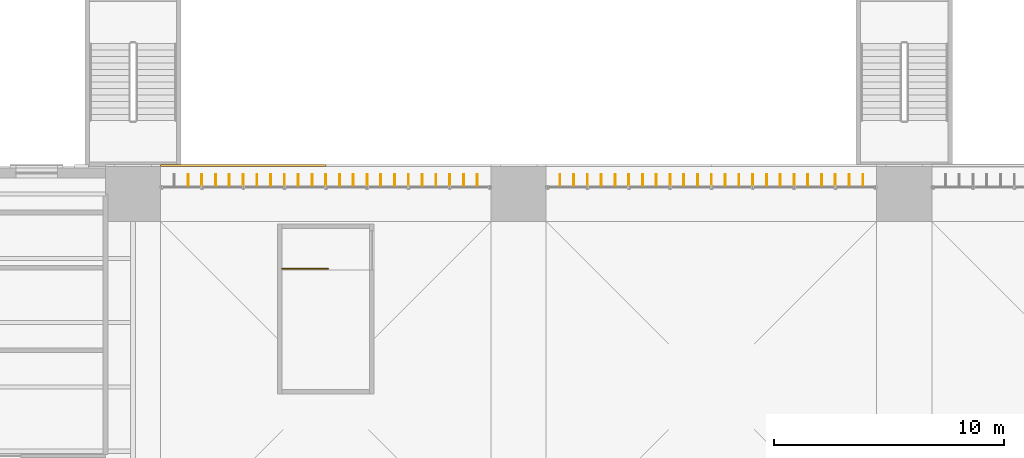
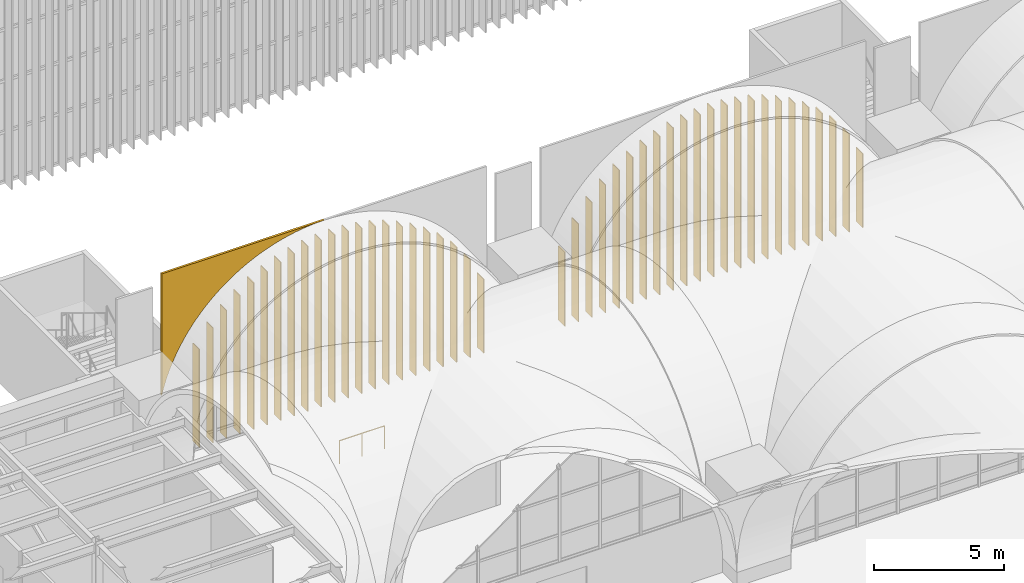
# One storey, part 151 of 169: 45 shading devices, 1 covering, 1 railing.
"""IFC4 building model written with IfcOpenShell, lengths in metres."""

from ifc_helpers import new_model, si_unit, direction, frame, origin, origin_2d, place, context, subcontext, project, spatial, polyline, circle, outline, extrude, material, layer, layer_set, type_object, element, save


model = new_model("IFC4")

# Units and contexts
model_context = context("Model", 3, precision=1e-05, world=origin(), true_north=direction((0.0, 1.0)))
body_context = subcontext(model_context, "Body", "Model", "MODEL_VIEW")
ifc_project = project(units=[si_unit("LENGTHUNIT", "METRE"), si_unit("AREAUNIT", "SQUARE_METRE"), si_unit("VOLUMEUNIT", "CUBIC_METRE"), si_unit("PLANEANGLEUNIT", "RADIAN"), si_unit("MASSUNIT", "GRAM", prefix="KILO")], contexts=[model_context])

# Site, building, storey
site_placement = place(None, origin())
site = spatial("IfcSite", under=ifc_project, at=site_placement, CompositionType="ELEMENT")
building_placement = place(site_placement, origin())
building = spatial("IfcBuilding", under=site, at=building_placement, Name="Verrick Yard Athletic Hall", CompositionType="ELEMENT")
storey_placement = place(building_placement, frame((0.0, 0.0, 4.39990234375)))
storey = spatial("IfcBuildingStorey", under=building, at=storey_placement, Name="L01", CompositionType="ELEMENT", Elevation=4.39990234375)

# Shading devices
ifc_material_1 = material(Name="Anodised aluminium", Category="aluminium")
ifc_layer_1 = layer(ifc_material_1, 0.0400390625)
ifc_layer_set_1 = layer_set([ifc_layer_1], Name="Arcade fin")
shading_device_type = type_object("IfcShadingDeviceType", Name="Arcade fin", PredefinedType="USERDEFINED", material=ifc_layer_set_1)
shading_device_1_placement = place(storey_placement, frame((42.39990234375, 53.17626953125, 0.0), z_axis=(0.0, 0.0, 1.0), x_axis=(0.0, 1.0, 0.0)))
element("IfcShadingDevice", 1, at=shading_device_1_placement, inside=storey, type_object=shading_device_type, Name="Fin RN1.2", ObjectType="FIN", PredefinedType="USERDEFINED", context=body_context, shape_type="SweptSolid", body=[
    extrude(outline(polyline([(0.0, 0.0), (0.5, 0.0), (0.5, 4.5966796875), (0.0, 4.5966796875), (0.0, 0.0)])), frame((0.0, 0.02001953125, 0.0), z_axis=(0.0, -1.0, 0.0), x_axis=(1.0, 0.0, 0.0)), (0.0, 0.0, 1.0), 0.0400390625),
])
shading_device_2_placement = place(storey_placement, frame((43.0, 53.17626953125, 0.0), z_axis=(0.0, 0.0, 1.0), x_axis=(0.0, 1.0, 0.0)))
element("IfcShadingDevice", 2, at=shading_device_2_placement, inside=storey, type_object=shading_device_type, Name="Fin RN1.3", ObjectType="FIN", PredefinedType="USERDEFINED", context=body_context, shape_type="SweptSolid", body=[
    extrude(outline(polyline([(0.0, 0.0), (0.5, 0.0), (0.5, 5.38671875), (0.0, 5.38671875), (0.0, 0.0)])), frame((0.0, 0.02001953125, 0.0), z_axis=(0.0, -1.0, 0.0), x_axis=(1.0, 0.0, 0.0)), (0.0, 0.0, 1.0), 0.0400390625),
])
shading_device_3_placement = place(storey_placement, frame((43.60009765625, 53.17626953125, 0.0), z_axis=(0.0, 0.0, 1.0), x_axis=(0.0, 1.0, 0.0)))
element("IfcShadingDevice", 3, at=shading_device_3_placement, inside=storey, type_object=shading_device_type, Name="Fin RN1.4", ObjectType="FIN", PredefinedType="USERDEFINED", context=body_context, shape_type="SweptSolid", body=[
    extrude(outline(polyline([(0.0, 0.0), (0.5, 0.0), (0.5, 5.996826171875), (0.0, 5.996826171875), (0.0, 0.0)])), frame((0.0, 0.02001953125, 0.0), z_axis=(0.0, -1.0, 0.0), x_axis=(1.0, 0.0, 0.0)), (0.0, 0.0, 1.0), 0.0400390625),
])
shading_device_4_placement = place(storey_placement, frame((44.199951171875, 53.17626953125, 0.0), z_axis=(0.0, 0.0, 1.0), x_axis=(0.0, 1.0, 0.0)))
element("IfcShadingDevice", 4, at=shading_device_4_placement, inside=storey, type_object=shading_device_type, Name="Fin RN1.5", ObjectType="FIN", PredefinedType="USERDEFINED", context=body_context, shape_type="SweptSolid", body=[
    extrude(outline(polyline([(0.0, 0.0), (0.5, 0.0), (0.5, 6.481201171875), (0.0, 6.481201171875), (0.0, 0.0)])), frame((0.0, 0.02001953125, 0.0), z_axis=(0.0, -1.0, 0.0), x_axis=(1.0, 0.0, 0.0)), (0.0, 0.0, 1.0), 0.0400390625),
])
shading_device_5_placement = place(storey_placement, frame((44.800048828125, 53.17626953125, 0.0), z_axis=(0.0, 0.0, 1.0), x_axis=(0.0, 1.0, 0.0)))
element("IfcShadingDevice", 5, at=shading_device_5_placement, inside=storey, type_object=shading_device_type, Name="Fin RN1.6", ObjectType="FIN", PredefinedType="USERDEFINED", context=body_context, shape_type="SweptSolid", body=[
    extrude(outline(polyline([(0.0, 0.0), (0.5, 0.0), (0.5, 6.872802734375), (0.0, 6.872802734375), (0.0, 0.0)])), frame((0.0, 0.02001953125, 0.0), z_axis=(0.0, -1.0, 0.0), x_axis=(1.0, 0.0, 0.0)), (0.0, 0.0, 1.0), 0.0400390625),
])
shading_device_6_placement = place(storey_placement, frame((45.39990234375, 53.17626953125, 0.0), z_axis=(0.0, 0.0, 1.0), x_axis=(0.0, 1.0, 0.0)))
element("IfcShadingDevice", 6, at=shading_device_6_placement, inside=storey, type_object=shading_device_type, Name="Fin RN1.7", ObjectType="FIN", PredefinedType="USERDEFINED", context=body_context, shape_type="SweptSolid", body=[
    extrude(outline(polyline([(0.0, 0.0), (0.5, 0.0), (0.5, 7.18505859375), (0.0, 7.18505859375), (0.0, 0.0)])), frame((0.0, 0.02001953125, 0.0), z_axis=(0.0, -1.0, 0.0), x_axis=(1.0, 0.0, 0.0)), (0.0, 0.0, 1.0), 0.0400390625),
])
shading_device_7_placement = place(storey_placement, frame((46.0, 53.17626953125, 0.0), z_axis=(0.0, 0.0, 1.0), x_axis=(0.0, 1.0, 0.0)))
element("IfcShadingDevice", 7, at=shading_device_7_placement, inside=storey, type_object=shading_device_type, Name="Fin RN1.8", ObjectType="FIN", PredefinedType="USERDEFINED", context=body_context, shape_type="SweptSolid", body=[
    extrude(outline(polyline([(0.0, 0.0), (0.5, 0.0), (0.5, 7.4296875), (0.0, 7.4296875), (0.0, 0.0)])), frame((0.0, 0.02001953125, 0.0), z_axis=(0.0, -1.0, 0.0), x_axis=(1.0, 0.0, 0.0)), (0.0, 0.0, 1.0), 0.0400390625),
])
shading_device_8_placement = place(storey_placement, frame((46.60009765625, 53.17626953125, 0.0), z_axis=(0.0, 0.0, 1.0), x_axis=(0.0, 1.0, 0.0)))
element("IfcShadingDevice", 8, at=shading_device_8_placement, inside=storey, type_object=shading_device_type, Name="Fin RN1.9", ObjectType="FIN", PredefinedType="USERDEFINED", context=body_context, shape_type="SweptSolid", body=[
    extrude(outline(polyline([(0.0, 0.0), (0.5, 0.0), (0.5, 7.614990234375), (0.0, 7.614990234375), (0.0, 0.0)])), frame((0.0, 0.02001953125, 0.0), z_axis=(0.0, -1.0, 0.0), x_axis=(1.0, 0.0, 0.0)), (0.0, 0.0, 1.0), 0.0400390625),
])
shading_device_9_placement = place(storey_placement, frame((47.199951171875, 53.17626953125, 0.0), z_axis=(0.0, 0.0, 1.0), x_axis=(0.0, 1.0, 0.0)))
element("IfcShadingDevice", 9, at=shading_device_9_placement, inside=storey, type_object=shading_device_type, Name="Fin RN1.10", ObjectType="FIN", PredefinedType="USERDEFINED", context=body_context, shape_type="SweptSolid", body=[
    extrude(outline(polyline([(0.0, 0.0), (0.5, 0.0), (0.5, 7.744873046875), (0.0, 7.744873046875), (0.0, 0.0)])), frame((0.0, 0.02001953125, 0.0), z_axis=(0.0, -1.0, 0.0), x_axis=(1.0, 0.0, 0.0)), (0.0, 0.0, 1.0), 0.0400390625),
])
shading_device_10_placement = place(storey_placement, frame((47.800048828125, 53.17626953125, 0.0), z_axis=(0.0, 0.0, 1.0), x_axis=(0.0, 1.0, 0.0)))
element("IfcShadingDevice", 10, at=shading_device_10_placement, inside=storey, type_object=shading_device_type, Name="Fin RN1.11", ObjectType="FIN", PredefinedType="USERDEFINED", context=body_context, shape_type="SweptSolid", body=[
    extrude(outline(polyline([(0.0, 0.0), (0.5, 0.0), (0.5, 7.82275390625), (0.0, 7.82275390625), (0.0, 0.0)])), frame((0.0, 0.02001953125, 0.0), z_axis=(0.0, -1.0, 0.0), x_axis=(1.0, 0.0, 0.0)), (0.0, 0.0, 1.0), 0.0400390625),
])
shading_device_11_placement = place(storey_placement, frame((48.39990234375, 53.17626953125, 0.0), z_axis=(0.0, 0.0, 1.0), x_axis=(0.0, 1.0, 0.0)))
element("IfcShadingDevice", 11, at=shading_device_11_placement, inside=storey, type_object=shading_device_type, Name="Fin RN1.12", ObjectType="FIN", PredefinedType="USERDEFINED", context=body_context, shape_type="SweptSolid", body=[
    extrude(outline(polyline([(0.0, 0.0), (0.5, 0.0), (0.5, 7.84912109375), (0.0, 7.84912109375), (0.0, 0.0)])), frame((0.0, 0.02001953125, 0.0), z_axis=(0.0, -1.0, 0.0), x_axis=(1.0, 0.0, 0.0)), (0.0, 0.0, 1.0), 0.0400390625),
])
shading_device_12_placement = place(storey_placement, frame((49.0, 53.17626953125, 0.0), z_axis=(0.0, 0.0, 1.0), x_axis=(0.0, 1.0, 0.0)))
element("IfcShadingDevice", 12, at=shading_device_12_placement, inside=storey, type_object=shading_device_type, Name="Fin RN1.13", ObjectType="FIN", PredefinedType="USERDEFINED", context=body_context, shape_type="SweptSolid", body=[
    extrude(outline(polyline([(0.0, 0.0), (0.5, 0.0), (0.5, 7.82275390625), (0.0, 7.82275390625), (0.0, 0.0)])), frame((0.0, 0.02001953125, 0.0), z_axis=(0.0, -1.0, 0.0), x_axis=(1.0, 0.0, 0.0)), (0.0, 0.0, 1.0), 0.0400390625),
])
shading_device_13_placement = place(storey_placement, frame((49.60009765625, 53.17626953125, 0.0), z_axis=(0.0, 0.0, 1.0), x_axis=(0.0, 1.0, 0.0)))
element("IfcShadingDevice", 13, at=shading_device_13_placement, inside=storey, type_object=shading_device_type, Name="Fin RN1.14", ObjectType="FIN", PredefinedType="USERDEFINED", context=body_context, shape_type="SweptSolid", body=[
    extrude(outline(polyline([(0.0, 0.0), (0.5, 0.0), (0.5, 7.744873046875), (0.0, 7.744873046875), (0.0, 0.0)])), frame((0.0, 0.02001953125, 0.0), z_axis=(0.0, -1.0, 0.0), x_axis=(1.0, 0.0, 0.0)), (0.0, 0.0, 1.0), 0.0400390625),
])
shading_device_14_placement = place(storey_placement, frame((50.199951171875, 53.17626953125, 0.0), z_axis=(0.0, 0.0, 1.0), x_axis=(0.0, 1.0, 0.0)))
element("IfcShadingDevice", 14, at=shading_device_14_placement, inside=storey, type_object=shading_device_type, Name="Fin RN1.15", ObjectType="FIN", PredefinedType="USERDEFINED", context=body_context, shape_type="SweptSolid", body=[
    extrude(outline(polyline([(0.0, 0.0), (0.5, 0.0), (0.5, 7.614990234375), (0.0, 7.614990234375), (0.0, 0.0)])), frame((0.0, 0.02001953125, 0.0), z_axis=(0.0, -1.0, 0.0), x_axis=(1.0, 0.0, 0.0)), (0.0, 0.0, 1.0), 0.0400390625),
])
shading_device_15_placement = place(storey_placement, frame((50.800048828125, 53.17626953125, 0.0), z_axis=(0.0, 0.0, 1.0), x_axis=(0.0, 1.0, 0.0)))
element("IfcShadingDevice", 15, at=shading_device_15_placement, inside=storey, type_object=shading_device_type, Name="Fin RN1.16", ObjectType="FIN", PredefinedType="USERDEFINED", context=body_context, shape_type="SweptSolid", body=[
    extrude(outline(polyline([(0.0, 0.0), (0.5, 0.0), (0.5, 7.4296875), (0.0, 7.4296875), (0.0, 0.0)])), frame((0.0, 0.02001953125, 0.0), z_axis=(0.0, -1.0, 0.0), x_axis=(1.0, 0.0, 0.0)), (0.0, 0.0, 1.0), 0.0400390625),
])
shading_device_16_placement = place(storey_placement, frame((51.39990234375, 53.17626953125, 0.0), z_axis=(0.0, 0.0, 1.0), x_axis=(0.0, 1.0, 0.0)))
element("IfcShadingDevice", 16, at=shading_device_16_placement, inside=storey, type_object=shading_device_type, Name="Fin RN1.17", ObjectType="FIN", PredefinedType="USERDEFINED", context=body_context, shape_type="SweptSolid", body=[
    extrude(outline(polyline([(0.0, 0.0), (0.5, 0.0), (0.5, 7.18505859375), (0.0, 7.18505859375), (0.0, 0.0)])), frame((0.0, 0.02001953125, 0.0), z_axis=(0.0, -1.0, 0.0), x_axis=(1.0, 0.0, 0.0)), (0.0, 0.0, 1.0), 0.0400390625),
])
shading_device_17_placement = place(storey_placement, frame((52.0, 53.17626953125, 0.0), z_axis=(0.0, 0.0, 1.0), x_axis=(0.0, 1.0, 0.0)))
element("IfcShadingDevice", 17, at=shading_device_17_placement, inside=storey, type_object=shading_device_type, Name="Fin RN1.18", ObjectType="FIN", PredefinedType="USERDEFINED", context=body_context, shape_type="SweptSolid", body=[
    extrude(outline(polyline([(0.0, 0.0), (0.5, 0.0), (0.5, 6.872802734375), (0.0, 6.872802734375), (0.0, 0.0)])), frame((0.0, 0.02001953125, 0.0), z_axis=(0.0, -1.0, 0.0), x_axis=(1.0, 0.0, 0.0)), (0.0, 0.0, 1.0), 0.0400390625),
])
shading_device_18_placement = place(storey_placement, frame((52.60009765625, 53.17626953125, 0.0), z_axis=(0.0, 0.0, 1.0), x_axis=(0.0, 1.0, 0.0)))
element("IfcShadingDevice", 18, at=shading_device_18_placement, inside=storey, type_object=shading_device_type, Name="Fin RN1.19", ObjectType="FIN", PredefinedType="USERDEFINED", context=body_context, shape_type="SweptSolid", body=[
    extrude(outline(polyline([(0.0, 0.0), (0.5, 0.0), (0.5, 6.481201171875), (0.0, 6.481201171875), (0.0, 0.0)])), frame((0.0, 0.02001953125, 0.0), z_axis=(0.0, -1.0, 0.0), x_axis=(1.0, 0.0, 0.0)), (0.0, 0.0, 1.0), 0.0400390625),
])
shading_device_19_placement = place(storey_placement, frame((53.199951171875, 53.17626953125, 0.0), z_axis=(0.0, 0.0, 1.0), x_axis=(0.0, 1.0, 0.0)))
element("IfcShadingDevice", 19, at=shading_device_19_placement, inside=storey, type_object=shading_device_type, Name="Fin RN1.20", ObjectType="FIN", PredefinedType="USERDEFINED", context=body_context, shape_type="SweptSolid", body=[
    extrude(outline(polyline([(0.0, 0.0), (0.5, 0.0), (0.5, 5.996826171875), (0.0, 5.996826171875), (0.0, 0.0)])), frame((0.0, 0.02001953125, 0.0), z_axis=(0.0, -1.0, 0.0), x_axis=(1.0, 0.0, 0.0)), (0.0, 0.0, 1.0), 0.0400390625),
])
shading_device_20_placement = place(storey_placement, frame((53.800048828125, 53.17626953125, 0.0), z_axis=(0.0, 0.0, 1.0), x_axis=(0.0, 1.0, 0.0)))
element("IfcShadingDevice", 20, at=shading_device_20_placement, inside=storey, type_object=shading_device_type, Name="Fin RN1.21", ObjectType="FIN", PredefinedType="USERDEFINED", context=body_context, shape_type="SweptSolid", body=[
    extrude(outline(polyline([(0.0, 0.0), (0.5, 0.0), (0.5, 5.38671875), (0.0, 5.38671875), (0.0, 0.0)])), frame((0.0, 0.02001953125, 0.0), z_axis=(0.0, -1.0, 0.0), x_axis=(1.0, 0.0, 0.0)), (0.0, 0.0, 1.0), 0.0400390625),
])
shading_device_21_placement = place(storey_placement, frame((54.39990234375, 53.17626953125, 0.0), z_axis=(0.0, 0.0, 1.0), x_axis=(0.0, 1.0, 0.0)))
element("IfcShadingDevice", 21, at=shading_device_21_placement, inside=storey, type_object=shading_device_type, Name="Fin RN1.22", ObjectType="FIN", PredefinedType="USERDEFINED", context=body_context, shape_type="SweptSolid", body=[
    extrude(outline(polyline([(0.0, 0.0), (0.5, 0.0), (0.5, 4.5966796875), (0.0, 4.5966796875), (0.0, 0.0)])), frame((0.0, 0.02001953125, 0.0), z_axis=(0.0, -1.0, 0.0), x_axis=(1.0, 0.0, 0.0)), (0.0, 0.0, 1.0), 0.0400390625),
])
for number, where, z_axis, x_axis, name in (
    (22, (55.0, 53.17626953125, 0.0), (0.0, 0.0, 1.0), (0.0, 1.0, 0.0), "Fin RN1.23"),
    (23, (58.60009765625, 53.17626953125, 0.0), (0.0, 0.0, 1.0), (0.0, 1.0, 0.0), "Fin RN2.1"),
):
    element("IfcShadingDevice", number, at=place(storey_placement, frame(where, z_axis=z_axis, x_axis=x_axis)), inside=storey, type_object=shading_device_type, Name=name, ObjectType="FIN", PredefinedType="USERDEFINED", context=body_context, shape_type="SweptSolid", body=[
        extrude(outline(polyline([(0.0, 0.0), (0.5, 0.0), (0.5, 3.4775390625), (0.0, 3.4775390625), (0.0, 0.0)])), frame((0.0, 0.02001953125, 0.0), z_axis=(0.0, -1.0, 0.0), x_axis=(1.0, 0.0, 0.0)), (0.0, 0.0, 1.0), 0.0400390625),
    ])
shading_device_22_placement = place(storey_placement, frame((59.199951171875, 53.17626953125, 0.0), z_axis=(0.0, 0.0, 1.0), x_axis=(0.0, 1.0, 0.0)))
element("IfcShadingDevice", 24, at=shading_device_22_placement, inside=storey, type_object=shading_device_type, Name="Fin RN2.2", ObjectType="FIN", PredefinedType="USERDEFINED", context=body_context, shape_type="SweptSolid", body=[
    extrude(outline(polyline([(0.0, 0.0), (0.5, 0.0), (0.5, 4.5966796875), (0.0, 4.5966796875), (0.0, 0.0)])), frame((0.0, 0.02001953125, 0.0), z_axis=(0.0, -1.0, 0.0), x_axis=(1.0, 0.0, 0.0)), (0.0, 0.0, 1.0), 0.0400390625),
])
shading_device_23_placement = place(storey_placement, frame((59.800048828125, 53.17626953125, 0.0), z_axis=(0.0, 0.0, 1.0), x_axis=(0.0, 1.0, 0.0)))
element("IfcShadingDevice", 25, at=shading_device_23_placement, inside=storey, type_object=shading_device_type, Name="Fin RN2.3", ObjectType="FIN", PredefinedType="USERDEFINED", context=body_context, shape_type="SweptSolid", body=[
    extrude(outline(polyline([(0.0, 0.0), (0.5, 0.0), (0.5, 5.38671875), (0.0, 5.38671875), (0.0, 0.0)])), frame((0.0, 0.02001953125, 0.0), z_axis=(0.0, -1.0, 0.0), x_axis=(1.0, 0.0, 0.0)), (0.0, 0.0, 1.0), 0.0400390625),
])
shading_device_24_placement = place(storey_placement, frame((60.39990234375, 53.17626953125, 0.0), z_axis=(0.0, 0.0, 1.0), x_axis=(0.0, 1.0, 0.0)))
element("IfcShadingDevice", 26, at=shading_device_24_placement, inside=storey, type_object=shading_device_type, Name="Fin RN2.4", ObjectType="FIN", PredefinedType="USERDEFINED", context=body_context, shape_type="SweptSolid", body=[
    extrude(outline(polyline([(0.0, 0.0), (0.5, 0.0), (0.5, 5.996826171875), (0.0, 5.996826171875), (0.0, 0.0)])), frame((0.0, 0.02001953125, 0.0), z_axis=(0.0, -1.0, 0.0), x_axis=(1.0, 0.0, 0.0)), (0.0, 0.0, 1.0), 0.0400390625),
])
shading_device_25_placement = place(storey_placement, frame((61.0, 53.17626953125, 0.0), z_axis=(0.0, 0.0, 1.0), x_axis=(0.0, 1.0, 0.0)))
element("IfcShadingDevice", 27, at=shading_device_25_placement, inside=storey, type_object=shading_device_type, Name="Fin RN2.5", ObjectType="FIN", PredefinedType="USERDEFINED", context=body_context, shape_type="SweptSolid", body=[
    extrude(outline(polyline([(0.0, 0.0), (0.5, 0.0), (0.5, 6.481201171875), (0.0, 6.481201171875), (0.0, 0.0)])), frame((0.0, 0.02001953125, 0.0), z_axis=(0.0, -1.0, 0.0), x_axis=(1.0, 0.0, 0.0)), (0.0, 0.0, 1.0), 0.0400390625),
])
shading_device_26_placement = place(storey_placement, frame((61.60009765625, 53.17626953125, 0.0), z_axis=(0.0, 0.0, 1.0), x_axis=(0.0, 1.0, 0.0)))
element("IfcShadingDevice", 28, at=shading_device_26_placement, inside=storey, type_object=shading_device_type, Name="Fin RN2.6", ObjectType="FIN", PredefinedType="USERDEFINED", context=body_context, shape_type="SweptSolid", body=[
    extrude(outline(polyline([(0.0, 0.0), (0.5, 0.0), (0.5, 6.872802734375), (0.0, 6.872802734375), (0.0, 0.0)])), frame((0.0, 0.02001953125, 0.0), z_axis=(0.0, -1.0, 0.0), x_axis=(1.0, 0.0, 0.0)), (0.0, 0.0, 1.0), 0.0400390625),
])
shading_device_27_placement = place(storey_placement, frame((62.199951171875, 53.17626953125, 0.0), z_axis=(0.0, 0.0, 1.0), x_axis=(0.0, 1.0, 0.0)))
element("IfcShadingDevice", 29, at=shading_device_27_placement, inside=storey, type_object=shading_device_type, Name="Fin RN2.7", ObjectType="FIN", PredefinedType="USERDEFINED", context=body_context, shape_type="SweptSolid", body=[
    extrude(outline(polyline([(0.0, 0.0), (0.5, 0.0), (0.5, 7.18505859375), (0.0, 7.18505859375), (0.0, 0.0)])), frame((0.0, 0.02001953125, 0.0), z_axis=(0.0, -1.0, 0.0), x_axis=(1.0, 0.0, 0.0)), (0.0, 0.0, 1.0), 0.0400390625),
])
shading_device_28_placement = place(storey_placement, frame((62.800048828125, 53.17626953125, 0.0), z_axis=(0.0, 0.0, 1.0), x_axis=(0.0, 1.0, 0.0)))
element("IfcShadingDevice", 30, at=shading_device_28_placement, inside=storey, type_object=shading_device_type, Name="Fin RN2.8", ObjectType="FIN", PredefinedType="USERDEFINED", context=body_context, shape_type="SweptSolid", body=[
    extrude(outline(polyline([(0.0, 0.0), (0.5, 0.0), (0.5, 7.4296875), (0.0, 7.4296875), (0.0, 0.0)])), frame((0.0, 0.02001953125, 0.0), z_axis=(0.0, -1.0, 0.0), x_axis=(1.0, 0.0, 0.0)), (0.0, 0.0, 1.0), 0.0400390625),
])
shading_device_29_placement = place(storey_placement, frame((63.39990234375, 53.17626953125, 0.0), z_axis=(0.0, 0.0, 1.0), x_axis=(0.0, 1.0, 0.0)))
element("IfcShadingDevice", 31, at=shading_device_29_placement, inside=storey, type_object=shading_device_type, Name="Fin RN2.9", ObjectType="FIN", PredefinedType="USERDEFINED", context=body_context, shape_type="SweptSolid", body=[
    extrude(outline(polyline([(0.0, 0.0), (0.5, 0.0), (0.5, 7.614990234375), (0.0, 7.614990234375), (0.0, 0.0)])), frame((0.0, 0.02001953125, 0.0), z_axis=(0.0, -1.0, 0.0), x_axis=(1.0, 0.0, 0.0)), (0.0, 0.0, 1.0), 0.0400390625),
])
shading_device_30_placement = place(storey_placement, frame((64.0, 53.17626953125, 0.0), z_axis=(0.0, 0.0, 1.0), x_axis=(0.0, 1.0, 0.0)))
element("IfcShadingDevice", 32, at=shading_device_30_placement, inside=storey, type_object=shading_device_type, Name="Fin RN2.10", ObjectType="FIN", PredefinedType="USERDEFINED", context=body_context, shape_type="SweptSolid", body=[
    extrude(outline(polyline([(0.0, 0.0), (0.5, 0.0), (0.5, 7.744873046875), (0.0, 7.744873046875), (0.0, 0.0)])), frame((0.0, 0.02001953125, 0.0), z_axis=(0.0, -1.0, 0.0), x_axis=(1.0, 0.0, 0.0)), (0.0, 0.0, 1.0), 0.0400390625),
])
shading_device_31_placement = place(storey_placement, frame((64.60009765625, 53.17626953125, 0.0), z_axis=(0.0, 0.0, 1.0), x_axis=(0.0, 1.0, 0.0)))
element("IfcShadingDevice", 33, at=shading_device_31_placement, inside=storey, type_object=shading_device_type, Name="Fin RN2.11", ObjectType="FIN", PredefinedType="USERDEFINED", context=body_context, shape_type="SweptSolid", body=[
    extrude(outline(polyline([(0.0, 0.0), (0.5, 0.0), (0.5, 7.82275390625), (0.0, 7.82275390625), (0.0, 0.0)])), frame((0.0, 0.02001953125, 0.0), z_axis=(0.0, -1.0, 0.0), x_axis=(1.0, 0.0, 0.0)), (0.0, 0.0, 1.0), 0.0400390625),
])
shading_device_32_placement = place(storey_placement, frame((65.199951171875, 53.17626953125, 0.0), z_axis=(0.0, 0.0, 1.0), x_axis=(0.0, 1.0, 0.0)))
element("IfcShadingDevice", 34, at=shading_device_32_placement, inside=storey, type_object=shading_device_type, Name="Fin RN2.12", ObjectType="FIN", PredefinedType="USERDEFINED", context=body_context, shape_type="SweptSolid", body=[
    extrude(outline(polyline([(0.0, 0.0), (0.5, 0.0), (0.5, 7.84912109375), (0.0, 7.84912109375), (0.0, 0.0)])), frame((0.0, 0.02001953125, 0.0), z_axis=(0.0, -1.0, 0.0), x_axis=(1.0, 0.0, 0.0)), (0.0, 0.0, 1.0), 0.0400390625),
])
shading_device_33_placement = place(storey_placement, frame((65.800048828125, 53.17626953125, 0.0), z_axis=(0.0, 0.0, 1.0), x_axis=(0.0, 1.0, 0.0)))
element("IfcShadingDevice", 35, at=shading_device_33_placement, inside=storey, type_object=shading_device_type, Name="Fin RN2.13", ObjectType="FIN", PredefinedType="USERDEFINED", context=body_context, shape_type="SweptSolid", body=[
    extrude(outline(polyline([(0.0, 0.0), (0.5, 0.0), (0.5, 7.82275390625), (0.0, 7.82275390625), (0.0, 0.0)])), frame((0.0, 0.02001953125, 0.0), z_axis=(0.0, -1.0, 0.0), x_axis=(1.0, 0.0, 0.0)), (0.0, 0.0, 1.0), 0.0400390625),
])
shading_device_34_placement = place(storey_placement, frame((66.39990234375, 53.17626953125, 0.0), z_axis=(0.0, 0.0, 1.0), x_axis=(0.0, 1.0, 0.0)))
element("IfcShadingDevice", 36, at=shading_device_34_placement, inside=storey, type_object=shading_device_type, Name="Fin RN2.14", ObjectType="FIN", PredefinedType="USERDEFINED", context=body_context, shape_type="SweptSolid", body=[
    extrude(outline(polyline([(0.0, 0.0), (0.5, 0.0), (0.5, 7.744873046875), (0.0, 7.744873046875), (0.0, 0.0)])), frame((0.0, 0.02001953125, 0.0), z_axis=(0.0, -1.0, 0.0), x_axis=(1.0, 0.0, 0.0)), (0.0, 0.0, 1.0), 0.0400390625),
])
shading_device_35_placement = place(storey_placement, frame((67.0, 53.17626953125, 0.0), z_axis=(0.0, 0.0, 1.0), x_axis=(0.0, 1.0, 0.0)))
element("IfcShadingDevice", 37, at=shading_device_35_placement, inside=storey, type_object=shading_device_type, Name="Fin RN2.15", ObjectType="FIN", PredefinedType="USERDEFINED", context=body_context, shape_type="SweptSolid", body=[
    extrude(outline(polyline([(0.0, 0.0), (0.5, 0.0), (0.5, 7.614990234375), (0.0, 7.614990234375), (0.0, 0.0)])), frame((0.0, 0.02001953125, 0.0), z_axis=(0.0, -1.0, 0.0), x_axis=(1.0, 0.0, 0.0)), (0.0, 0.0, 1.0), 0.0400390625),
])
shading_device_36_placement = place(storey_placement, frame((67.60009765625, 53.17626953125, 0.0), z_axis=(0.0, 0.0, 1.0), x_axis=(0.0, 1.0, 0.0)))
element("IfcShadingDevice", 38, at=shading_device_36_placement, inside=storey, type_object=shading_device_type, Name="Fin RN2.16", ObjectType="FIN", PredefinedType="USERDEFINED", context=body_context, shape_type="SweptSolid", body=[
    extrude(outline(polyline([(0.0, 0.0), (0.5, 0.0), (0.5, 7.4296875), (0.0, 7.4296875), (0.0, 0.0)])), frame((0.0, 0.02001953125, 0.0), z_axis=(0.0, -1.0, 0.0), x_axis=(1.0, 0.0, 0.0)), (0.0, 0.0, 1.0), 0.0400390625),
])
shading_device_37_placement = place(storey_placement, frame((68.199951171875, 53.17626953125, 0.0), z_axis=(0.0, 0.0, 1.0), x_axis=(0.0, 1.0, 0.0)))
element("IfcShadingDevice", 39, at=shading_device_37_placement, inside=storey, type_object=shading_device_type, Name="Fin RN2.17", ObjectType="FIN", PredefinedType="USERDEFINED", context=body_context, shape_type="SweptSolid", body=[
    extrude(outline(polyline([(0.0, 0.0), (0.5, 0.0), (0.5, 7.18505859375), (0.0, 7.18505859375), (0.0, 0.0)])), frame((0.0, 0.02001953125, 0.0), z_axis=(0.0, -1.0, 0.0), x_axis=(1.0, 0.0, 0.0)), (0.0, 0.0, 1.0), 0.0400390625),
])
shading_device_38_placement = place(storey_placement, frame((68.800048828125, 53.17626953125, 0.0), z_axis=(0.0, 0.0, 1.0), x_axis=(0.0, 1.0, 0.0)))
element("IfcShadingDevice", 40, at=shading_device_38_placement, inside=storey, type_object=shading_device_type, Name="Fin RN2.18", ObjectType="FIN", PredefinedType="USERDEFINED", context=body_context, shape_type="SweptSolid", body=[
    extrude(outline(polyline([(0.0, 0.0), (0.5, 0.0), (0.5, 6.872802734375), (0.0, 6.872802734375), (0.0, 0.0)])), frame((0.0, 0.02001953125, 0.0), z_axis=(0.0, -1.0, 0.0), x_axis=(1.0, 0.0, 0.0)), (0.0, 0.0, 1.0), 0.0400390625),
])
shading_device_39_placement = place(storey_placement, frame((69.39990234375, 53.17626953125, 0.0), z_axis=(0.0, 0.0, 1.0), x_axis=(0.0, 1.0, 0.0)))
element("IfcShadingDevice", 41, at=shading_device_39_placement, inside=storey, type_object=shading_device_type, Name="Fin RN2.19", ObjectType="FIN", PredefinedType="USERDEFINED", context=body_context, shape_type="SweptSolid", body=[
    extrude(outline(polyline([(0.0, 0.0), (0.5, 0.0), (0.5, 6.481201171875), (0.0, 6.481201171875), (0.0, 0.0)])), frame((0.0, 0.02001953125, 0.0), z_axis=(0.0, -1.0, 0.0), x_axis=(1.0, 0.0, 0.0)), (0.0, 0.0, 1.0), 0.0400390625),
])
shading_device_40_placement = place(storey_placement, frame((70.0, 53.17626953125, 0.0), z_axis=(0.0, 0.0, 1.0), x_axis=(0.0, 1.0, 0.0)))
element("IfcShadingDevice", 42, at=shading_device_40_placement, inside=storey, type_object=shading_device_type, Name="Fin RN2.20", ObjectType="FIN", PredefinedType="USERDEFINED", context=body_context, shape_type="SweptSolid", body=[
    extrude(outline(polyline([(0.0, 0.0), (0.5, 0.0), (0.5, 5.996826171875), (0.0, 5.996826171875), (0.0, 0.0)])), frame((0.0, 0.02001953125, 0.0), z_axis=(0.0, -1.0, 0.0), x_axis=(1.0, 0.0, 0.0)), (0.0, 0.0, 1.0), 0.0400390625),
])
shading_device_41_placement = place(storey_placement, frame((70.60009765625, 53.17626953125, 0.0), z_axis=(0.0, 0.0, 1.0), x_axis=(0.0, 1.0, 0.0)))
element("IfcShadingDevice", 43, at=shading_device_41_placement, inside=storey, type_object=shading_device_type, Name="Fin RN2.21", ObjectType="FIN", PredefinedType="USERDEFINED", context=body_context, shape_type="SweptSolid", body=[
    extrude(outline(polyline([(0.0, 0.0), (0.5, 0.0), (0.5, 5.38671875), (0.0, 5.38671875), (0.0, 0.0)])), frame((0.0, 0.02001953125, 0.0), z_axis=(0.0, -1.0, 0.0), x_axis=(1.0, 0.0, 0.0)), (0.0, 0.0, 1.0), 0.0400390625),
])
shading_device_42_placement = place(storey_placement, frame((71.199951171875, 53.17626953125, 0.0), z_axis=(0.0, 0.0, 1.0), x_axis=(0.0, 1.0, 0.0)))
element("IfcShadingDevice", 44, at=shading_device_42_placement, inside=storey, type_object=shading_device_type, Name="Fin RN2.22", ObjectType="FIN", PredefinedType="USERDEFINED", context=body_context, shape_type="SweptSolid", body=[
    extrude(outline(polyline([(0.0, 0.0), (0.5, 0.0), (0.5, 4.5966796875), (0.0, 4.5966796875), (0.0, 0.0)])), frame((0.0, 0.02001953125, 0.0), z_axis=(0.0, -1.0, 0.0), x_axis=(1.0, 0.0, 0.0)), (0.0, 0.0, 1.0), 0.0400390625),
])
shading_device_43_placement = place(storey_placement, frame((71.800048828125, 53.17626953125, 0.0), z_axis=(0.0, 0.0, 1.0), x_axis=(0.0, 1.0, 0.0)))
element("IfcShadingDevice", 45, at=shading_device_43_placement, inside=storey, type_object=shading_device_type, Name="Fin RN2.23", ObjectType="FIN", PredefinedType="USERDEFINED", context=body_context, shape_type="SweptSolid", body=[
    extrude(outline(polyline([(0.0, 0.0), (0.5, 0.0), (0.5, 3.4775390625), (0.0, 3.4775390625), (0.0, 0.0)])), frame((0.0, 0.02001953125, 0.0), z_axis=(0.0, -1.0, 0.0), x_axis=(1.0, 0.0, 0.0)), (0.0, 0.0, 1.0), 0.0400390625),
])

# Covering
ifc_material_2 = material(Name="Limestone cladding", Category="masonry")
ifc_layer_2 = layer(ifc_material_2, 0.10009765625)
ifc_layer_set_2 = layer_set([ifc_layer_2], Name="Spandrel cladding")
covering_type = type_object("IfcCoveringType", Name="Spandrel cladding", PredefinedType="CLADDING", material=ifc_layer_set_2)
covering_placement = place(storey_placement, frame((41.199951171875, 54.050048828125, 2.352294921875), z_axis=(0.0, 0.0, 1.0), x_axis=(1.0, 0.0, 0.0)))
element("IfcCovering", 46, at=covering_placement, inside=storey, type_object=covering_type, Name="Spandrel RN1.1", PredefinedType="CLADDING", context=body_context, shape_type="SweptSolid", body=[
    extrude(outline(polyline([(0.0, 0.0), (0.052001953125, 0.213134765625), (0.142578125, 0.52294921875), (0.246337890625, 0.82861328125), (0.36328125, 1.129638671875), (0.493408203125, 1.42529296875), (0.635986328125, 1.714599609375), (0.79150390625, 1.997802734375), (0.958984375, 2.273681640625), (1.13818359375, 2.542236328125), (1.3291015625, 2.802490234375), (1.53125, 3.054443359375), (1.744140625, 3.297119140625), (1.96728515625, 3.530517578125), (2.20068359375, 3.753662109375), (2.443359375, 3.966552734375), (2.6953125, 4.168701171875), (2.95556640625, 4.359619140625), (3.22412109375, 4.538818359375), (3.5, 4.706298828125), (3.783203125, 4.86181640625), (4.072509765625, 5.00439453125), (4.3681640625, 5.134521484375), (4.669189453125, 5.25146484375), (4.974853515625, 5.355224609375), (5.28466796875, 5.44580078125), (5.598388671875, 5.5224609375), (5.9150390625, 5.58544921875), (6.234130859375, 5.634521484375), (6.554931640625, 5.669677734375), (6.877197265625, 5.69091796875), (7.199951171875, 5.69775390625), (0.0, 5.69775390625), (0.0, 0.0)])), frame((0.0, 0.050048828125, 0.0), z_axis=(0.0, -1.0, 0.0), x_axis=(1.0, 0.0, 0.0)), (0.0, 0.0, 1.0), 0.10009765625),
])

# Railing
ifc_material_3 = material(Name="Stainless steel", Category="steel")
railing_type = type_object("IfcRailingType", Name="Stair and core guard 1100", PredefinedType="GUARDRAIL", material=ifc_material_3)
railing_placement = place(storey_placement, frame((46.5, 49.550048828125, 0.0)))
element("IfcRailing", 47, at=railing_placement, inside=storey, type_object=railing_type, Name="L01 North plinth exit 1 top well guard 1", PredefinedType="GUARDRAIL", context=body_context, shape_type="SweptSolid", body=[
    extrude(circle(Radius=0.02392578125, at=origin_2d()), frame((0.0, 0.0, 1.076171875), z_axis=(1.0, 0.0, 0.0), x_axis=(0.0, 1.0, 0.0)), (0.0, 0.0, 1.0), 2.0),
    extrude(circle(Radius=0.02099609375, at=origin_2d()), origin(), (0.0, 0.0, 1.0), 1.052001953125),
    extrude(circle(Radius=0.02099609375, at=origin_2d()), frame((1.0, 0.0, 0.0)), (0.0, 0.0, 1.0), 1.052001953125),
    extrude(circle(Radius=0.02099609375, at=origin_2d()), frame((2.0, 0.0, 0.0)), (0.0, 0.0, 1.0), 1.052001953125),
])

save(model, "model.ifc")
